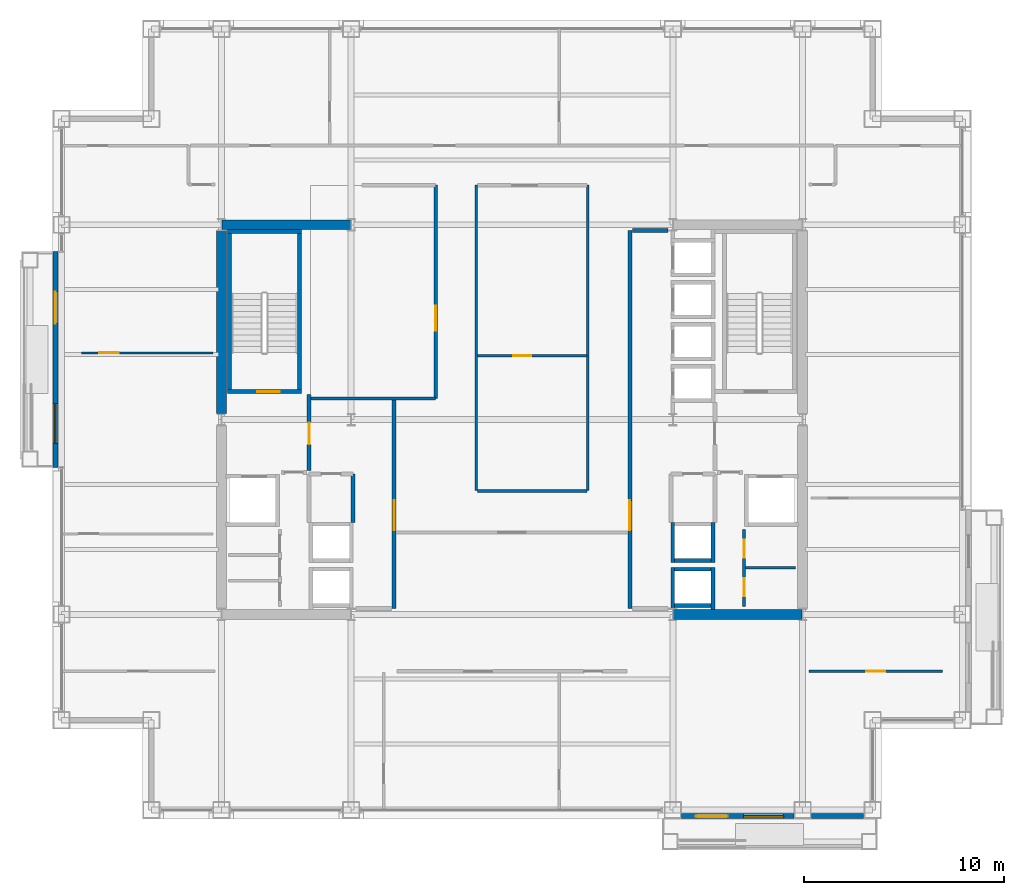
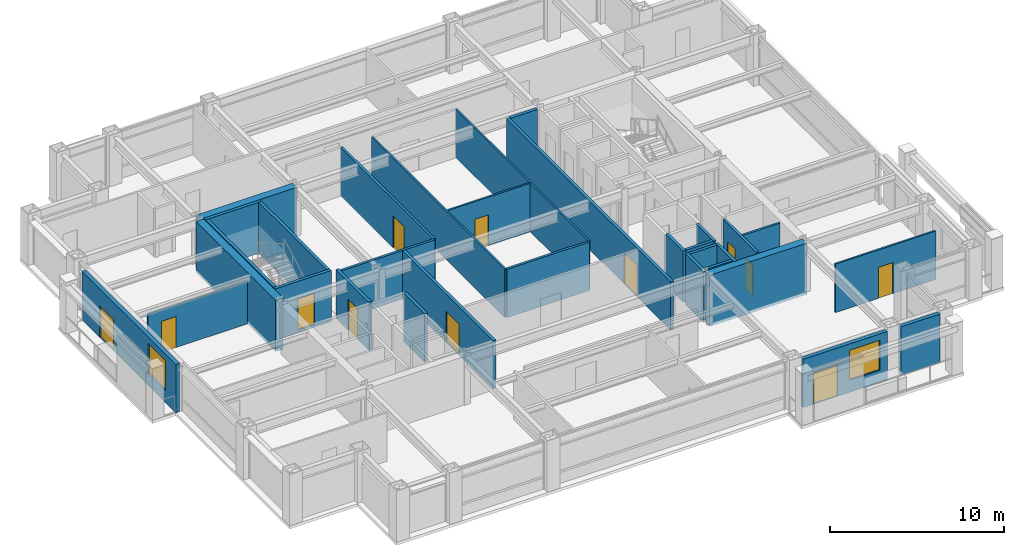
# One storey, part 26 of 31: 32 walls, 12 doors, 2 windows, 14 openings.
"""IFC4 building model written with IfcOpenShell, lengths in metres."""

from ifc_helpers import new_model, si_unit, direction, frame, frame_2d, origin, place, context, subcontext, project, spatial, rectangle, extrude, material, layer, layer_set, type_object, element, fill, save


model = new_model("IFC4")

# Units and contexts
model_context = context("Model", 3, precision=1e-05, world=origin(), true_north=direction((0.0, 1.0)))
body_context = subcontext(model_context, "Body", "Model", "MODEL_VIEW")
ifc_project = project(units=[si_unit("LENGTHUNIT", "METRE"), si_unit("AREAUNIT", "SQUARE_METRE"), si_unit("VOLUMEUNIT", "CUBIC_METRE"), si_unit("PLANEANGLEUNIT", "RADIAN"), si_unit("MASSUNIT", "GRAM", prefix="KILO")], contexts=[model_context])

# Site, building, storey
site_placement = place(None, origin())
site = spatial("IfcSite", under=ifc_project, at=site_placement, CompositionType="ELEMENT")
building_placement = place(site_placement, origin())
building = spatial("IfcBuilding", under=site, at=building_placement, Name="Brelmoor Portico Tower", CompositionType="ELEMENT")
storey_placement = place(building_placement, frame((0.0, 0.0, 113.39990234375)))
storey = spatial("IfcBuildingStorey", under=building, at=storey_placement, Name="L29", CompositionType="ELEMENT", Elevation=113.39990234375)

# Walls
ifc_material_1 = material(Name="Concrete C60", Category="concrete")
ifc_layer_1 = layer(ifc_material_1, 0.5)
ifc_layer_set_1 = layer_set([ifc_layer_1], Name="Concrete C60")
wall_type_1 = type_object("IfcWallType", Name="WL-CORE-500", PredefinedType="SHEAR", material=ifc_layer_set_1)
wall_1_placement = place(storey_placement, frame((-14.530029296875, 9.75, -0.199951171875), z_axis=(0.0, 0.0, 1.0), x_axis=(1.0, 0.0, 0.0)))
element("IfcWall", 1, at=wall_1_placement, inside=storey, type_object=wall_type_1, Name="L29 WC North Shear Wall", PredefinedType="SHEAR", context=body_context, shape_type="SweptSolid", body=[
    extrude(rectangle(XDim=6.4599609375, YDim=0.5, at=frame_2d((3.22998046875, 0.0))), origin(), (0.0, 0.0, 1.0), 3.60009765625),
])
wall_2_placement = place(storey_placement, frame((-14.550048828125, 0.300048828125, -0.199951171875), z_axis=(0.0, 0.0, 1.0), x_axis=(0.0, 1.0, 0.0)))
element("IfcWall", 2, at=wall_2_placement, inside=storey, type_object=wall_type_1, Name="L29 WC Outer North Shear Wall", PredefinedType="SHEAR", context=body_context, shape_type="SweptSolid", body=[
    extrude(rectangle(XDim=9.14990234375, YDim=0.5, at=frame_2d((4.574951171875, 0.0))), origin(), (0.0, 0.0, 1.0), 3.60009765625),
])
wall_3_placement = place(storey_placement, frame((8.070068359375, -9.75, -0.199951171875), z_axis=(0.0, 0.0, 1.0), x_axis=(1.0, 0.0, 0.0)))
element("IfcWall", 3, at=wall_3_placement, inside=storey, type_object=wall_type_1, Name="L29 EC South Shear Wall", PredefinedType="SHEAR", context=body_context, shape_type="SweptSolid", body=[
    extrude(rectangle(XDim=6.4599609375, YDim=0.5, at=frame_2d((3.22998046875, 0.0))), origin(), (0.0, 0.0, 1.0), 3.60009765625),
])

# Wall, openings, door, window
ifc_material_2 = material(Name="Precast Concrete C40 Insulated Facade Wall", Category="concrete")
ifc_layer_2 = layer(ifc_material_2, 0.25)
ifc_layer_set_2 = layer_set([ifc_layer_2], Name="Precast Concrete C40 Insulated Facade Wall")
wall_type_2 = type_object("IfcWallType", Name="WL-EXT-250", PredefinedType="STANDARD", material=ifc_layer_set_2)
wall_4_placement = place(storey_placement, frame((8.4951171875, -19.860107421875, 0.0), z_axis=(0.0, 0.0, 1.0), x_axis=(1.0, 0.0, 0.0)))
wall_4 = element("IfcWall", 4, at=wall_4_placement, inside=storey, type_object=wall_type_2, Name="L29 Loggia Threshold Wall S-1", PredefinedType="STANDARD", context=body_context, shape_type="SweptSolid", body=[
    extrude(rectangle(XDim=5.60986328125, YDim=0.25, at=frame_2d((2.804931640625, 0.0))), origin(), (0.0, 0.0, 1.0), 3.400146484375),
])
opening_1_placement = place(wall_4_placement, frame((0.705078125, 0.0, 0.0)))
opening_1 = element("IfcOpeningElement", 5, at=opening_1_placement, cuts=wall_4, Name="Opening D-TB1", PredefinedType="OPENING", context=body_context, shape_type="SweptSolid", body=[
    extrude(rectangle(XDim=1.60009765625, YDim=2.199951171875, at=frame_2d((0.800048828125, 1.10009765625))), frame((0.0, 0.135009765625, 0.0), z_axis=(0.0, -1.0, 0.0), x_axis=(1.0, 0.0, 0.0)), (0.0, 0.0, 1.0), 0.27001953125),
])
opening_2_placement = place(wall_4_placement, frame((3.10498046875, 0.0, 0.85009765625)))
opening_2 = element("IfcOpeningElement", 6, at=opening_2_placement, cuts=wall_4, Name="Opening W-03", PredefinedType="OPENING", context=body_context, shape_type="SweptSolid", body=[
    extrude(rectangle(XDim=2.0, YDim=2.10009765625, at=frame_2d((1.0, 1.050048828125))), frame((0.0, 0.135009765625, 0.0), z_axis=(0.0, -1.0, 0.0), x_axis=(1.0, 0.0, 0.0)), (0.0, 0.0, 1.0), 0.27001953125),
])
ifc_material_3 = material(Name="Double-Leaf Thermally Broken Terrace Door", Category="aluminium")
door_type_1 = type_object("IfcDoorType", Name="DR-BALCONY-1600", OperationType="NOTDEFINED", PredefinedType="DOOR", material=ifc_material_3)
door_1_placement = place(opening_1_placement, origin())
door_1 = element("IfcDoor", 7, at=door_1_placement, inside=storey, type_object=door_type_1, Name="D-1297 L29 Tree Balcony Double Door S", OperationType="DOUBLE_DOOR_SINGLE_SWING", OverallHeight=2.199951171875, OverallWidth=1.60009765625, PredefinedType="DOOR", context=body_context, shape_type="SweptSolid", body=[
    extrude(rectangle(XDim=1.60009765625, YDim=2.199951171875, at=frame_2d((0.800048828125, 1.10009765625))), frame((0.0, 0.02490234375, 0.0), z_axis=(0.0, -1.0, 0.0), x_axis=(1.0, 0.0, 0.0)), (0.0, 0.0, 1.0), 0.050048828125),
])
fill(opening_1, door_1)
ifc_material_4 = material(Name="Thermally Broken Aluminium Low-E Window", Category="aluminium")
window_type = type_object("IfcWindowType", Name="WN-LOGGIA-2000x2100", PartitioningType="SINGLE_PANEL", PredefinedType="WINDOW", material=ifc_material_4)
window_1_placement = place(opening_2_placement, origin())
window_1 = element("IfcWindow", 8, at=window_1_placement, inside=storey, type_object=window_type, Name="L29 Loggia Window S", OverallHeight=2.10009765625, OverallWidth=2.0, PartitioningType="SINGLE_PANEL", PredefinedType="WINDOW", context=body_context, shape_type="SweptSolid", body=[
    extrude(rectangle(XDim=2.0, YDim=2.10009765625, at=frame_2d((1.0, 1.050048828125))), frame((0.0, 0.030029296875, 0.0), z_axis=(0.0, -1.0, 0.0), x_axis=(1.0, 0.0, 0.0)), (0.0, 0.0, 1.0), 0.06005859375),
])
fill(opening_2, window_1)

# Wall
wall_5_placement = place(storey_placement, frame((14.9951171875, -19.860107421875, 0.0), z_axis=(0.0, 0.0, 1.0), x_axis=(1.0, 0.0, 0.0)))
element("IfcWall", 9, at=wall_5_placement, inside=storey, type_object=wall_type_2, Name="L29 Loggia Threshold Wall S-2", PredefinedType="STANDARD", context=body_context, shape_type="SweptSolid", body=[
    extrude(rectangle(XDim=2.60986328125, YDim=0.25, at=frame_2d((1.304931640625, 0.0))), origin(), (0.0, 0.0, 1.0), 3.400146484375),
])

# Wall, openings, door, window
wall_6_placement = place(storey_placement, frame((-22.860107421875, -2.39990234375, 0.0), z_axis=(0.0, 0.0, 1.0), x_axis=(0.0, 1.0, 0.0)))
wall_6 = element("IfcWall", 10, at=wall_6_placement, inside=storey, type_object=wall_type_2, Name="L29 Loggia Threshold Wall W-1", PredefinedType="STANDARD", context=body_context, shape_type="SweptSolid", body=[
    extrude(rectangle(XDim=10.7998046875, YDim=0.25, at=frame_2d((5.39990234375, 0.0))), origin(), (0.0, 0.0, 1.0), 3.400146484375),
])
opening_3_placement = place(wall_6_placement, frame((7.199951171875, 0.0, 0.0)))
opening_3 = element("IfcOpeningElement", 11, at=opening_3_placement, cuts=wall_6, Name="Opening D-TB1", PredefinedType="OPENING", context=body_context, shape_type="SweptSolid", body=[
    extrude(rectangle(XDim=1.60009765625, YDim=2.199951171875, at=frame_2d((0.800048828125, 1.10009765625))), frame((0.0, 0.135009765625, 0.0), z_axis=(0.0, -1.0, 0.0), x_axis=(1.0, 0.0, 0.0)), (0.0, 0.0, 1.0), 0.27001953125),
])
opening_4_placement = place(wall_6_placement, frame((1.199951171875, 0.0, 0.85009765625)))
opening_4 = element("IfcOpeningElement", 12, at=opening_4_placement, cuts=wall_6, Name="Opening W-03", PredefinedType="OPENING", context=body_context, shape_type="SweptSolid", body=[
    extrude(rectangle(XDim=2.0, YDim=2.10009765625, at=frame_2d((1.0, 1.050048828125))), frame((0.0, 0.135009765625, 0.0), z_axis=(0.0, -1.0, 0.0), x_axis=(1.0, 0.0, 0.0)), (0.0, 0.0, 1.0), 0.27001953125),
])
door_2_placement = place(opening_3_placement, origin())
door_2 = element("IfcDoor", 13, at=door_2_placement, inside=storey, type_object=door_type_1, Name="D-1298 L29 Tree Balcony Double Door W", OperationType="DOUBLE_DOOR_SINGLE_SWING", OverallHeight=2.199951171875, OverallWidth=1.60009765625, PredefinedType="DOOR", context=body_context, shape_type="SweptSolid", body=[
    extrude(rectangle(XDim=1.60009765625, YDim=2.199951171875, at=frame_2d((0.800048828125, 1.10009765625))), frame((0.0, 0.02490234375, 0.0), z_axis=(0.0, -1.0, 0.0), x_axis=(1.0, 0.0, 0.0)), (0.0, 0.0, 1.0), 0.050048828125),
])
fill(opening_3, door_2)
window_2_placement = place(opening_4_placement, origin())
window_2 = element("IfcWindow", 14, at=window_2_placement, inside=storey, type_object=window_type, Name="L29 Loggia Window W", OverallHeight=2.10009765625, OverallWidth=2.0, PartitioningType="SINGLE_PANEL", PredefinedType="WINDOW", context=body_context, shape_type="SweptSolid", body=[
    extrude(rectangle(XDim=2.0, YDim=2.10009765625, at=frame_2d((1.0, 1.050048828125))), frame((0.0, 0.030029296875, 0.0), z_axis=(0.0, -1.0, 0.0), x_axis=(1.0, 0.0, 0.0)), (0.0, 0.0, 1.0), 0.06005859375),
])
fill(opening_4, window_2)

# Walls
ifc_material_5 = material(Name="Lightweight Gypsum Office Partition", Category="gypsum")
ifc_layer_3 = layer(ifc_material_5, 0.1201171875)
ifc_layer_set_3 = layer_set([ifc_layer_3], Name="Lightweight Gypsum Office Partition")
wall_type_3 = type_object("IfcWallType", Name="WL-PART-120", PredefinedType="PARTITIONING", material=ifc_layer_set_3)
for number, where, z_axis, x_axis, name in (
    (15, (-1.780029296875, -3.550048828125, 0.0), (0.0, 0.0, 1.0), (0.0, 1.0, 0.0), "L29 Central Studio West Wall"),
    (16, (3.800048828125, -3.550048828125, 0.0), (0.0, 0.0, 1.0), (0.0, 1.0, 0.0), "L29 Central Studio East Wall"),
):
    element("IfcWall", number, at=place(storey_placement, frame(where, z_axis=z_axis, x_axis=x_axis)), inside=storey, type_object=wall_type_3, Name=name, PredefinedType="PARTITIONING", context=body_context, shape_type="SweptSolid", body=[
        extrude(rectangle(XDim=15.280029296875, YDim=0.1201171875, at=frame_2d((7.64013671875, 0.0))), origin(), (0.0, 0.0, 1.0), 3.400146484375),
    ])

# Wall, opening, door
wall_7_placement = place(storey_placement, frame((-1.72998046875, 3.199951171875, 0.0), z_axis=(0.0, 0.0, 1.0), x_axis=(1.0, 0.0, 0.0)))
wall_7 = element("IfcWall", 17, at=wall_7_placement, inside=storey, type_object=wall_type_3, Name="L29 Central Pantry Divider", PredefinedType="PARTITIONING", context=body_context, shape_type="SweptSolid", body=[
    extrude(rectangle(XDim=5.47998046875, YDim=0.1201171875, at=frame_2d((2.739990234375, 0.0))), origin(), (0.0, 0.0, 1.0), 3.400146484375),
])
opening_5_placement = place(wall_7_placement, frame((1.800048828125, 0.0, 0.0)))
opening_5 = element("IfcOpeningElement", 18, at=opening_5_placement, cuts=wall_7, Name="Opening D-IN1", PredefinedType="OPENING", context=body_context, shape_type="SweptSolid", body=[
    extrude(rectangle(XDim=0.89990234375, YDim=2.14990234375, at=frame_2d((0.449951171875, 1.074951171875))), frame((0.0, 0.070068359375, 0.0), z_axis=(0.0, -1.0, 0.0), x_axis=(1.0, 0.0, 0.0)), (0.0, 0.0, 1.0), 0.14013671875),
])
ifc_material_6 = material(Name="Lacquered Timber Suite Door", Category="wood")
door_type_2 = type_object("IfcDoorType", Name="DR-INT-900", OperationType="NOTDEFINED", PredefinedType="DOOR", material=ifc_material_6)
door_3_placement = place(opening_5_placement, origin())
door_3 = element("IfcDoor", 19, at=door_3_placement, inside=storey, type_object=door_type_2, Name="D-1265 L29 Central Pantry Connecting Door", OperationType="SINGLE_SWING_RIGHT", OverallHeight=2.14990234375, OverallWidth=0.89990234375, PredefinedType="DOOR", context=body_context, shape_type="SweptSolid", body=[
    extrude(rectangle(XDim=0.89990234375, YDim=2.14990234375, at=frame_2d((0.449951171875, 1.074951171875))), frame((0.0, 0.02490234375, 0.0), z_axis=(0.0, -1.0, 0.0), x_axis=(1.0, 0.0, 0.0)), (0.0, 0.0, 1.0), 0.050048828125),
])
fill(opening_5, door_3)

wall_8_placement = place(storey_placement, frame((14.8798828125, -12.60009765625, 0.0), z_axis=(0.0, 0.0, 1.0), x_axis=(1.0, 0.0, 0.0)))
wall_8 = element("IfcWall", 20, at=wall_8_placement, inside=storey, type_object=wall_type_3, Name="L29 South Wing Closure ER", PredefinedType="PARTITIONING", context=body_context, shape_type="SweptSolid", body=[
    extrude(rectangle(XDim=6.670166015625, YDim=0.1201171875, at=frame_2d((3.3349609375, 0.0))), origin(), (0.0, 0.0, 1.0), 3.400146484375),
])
opening_6_placement = place(wall_8_placement, frame((2.85498046875, 0.0, 0.0)))
opening_6 = element("IfcOpeningElement", 21, at=opening_6_placement, cuts=wall_8, Name="Opening D-IN2", PredefinedType="OPENING", context=body_context, shape_type="SweptSolid", body=[
    extrude(rectangle(XDim=0.9599609375, YDim=2.179931640625, at=frame_2d((0.47998046875, 1.08984375))), frame((0.0, 0.070068359375, 0.0), z_axis=(0.0, -1.0, 0.0), x_axis=(1.0, 0.0, 0.0)), (0.0, 0.0, 1.0), 0.14013671875),
])
door_type_3 = type_object("IfcDoorType", Name="DR-INT-950", OperationType="NOTDEFINED", PredefinedType="DOOR", material=ifc_material_6)
door_4_placement = place(opening_6_placement, origin())
door_4 = element("IfcDoor", 22, at=door_4_placement, inside=storey, type_object=door_type_3, Name="D-1294 L29 ER Wing South Suite Door", OperationType="SINGLE_SWING_LEFT", OverallHeight=2.179931640625, OverallWidth=0.9599609375, PredefinedType="DOOR", context=body_context, shape_type="SweptSolid", body=[
    extrude(rectangle(XDim=0.9599609375, YDim=2.179931640625, at=frame_2d((0.47998046875, 1.08984375))), frame((0.0, 0.02490234375, 0.0), z_axis=(0.0, -1.0, 0.0), x_axis=(1.0, 0.0, 0.0)), (0.0, 0.0, 1.0), 0.050048828125),
])
fill(opening_6, door_4)

wall_9_placement = place(storey_placement, frame((-21.550048828125, 3.330078125, 0.0), z_axis=(0.0, 0.0, 1.0), x_axis=(1.0, 0.0, 0.0)))
wall_9 = element("IfcWall", 23, at=wall_9_placement, inside=storey, type_object=wall_type_3, Name="L29 W Wing Partition 2", PredefinedType="PARTITIONING", context=body_context, shape_type="SweptSolid", body=[
    extrude(rectangle(XDim=6.590087890625, YDim=0.1201171875, at=frame_2d((3.294921875, 0.0))), origin(), (0.0, 0.0, 1.0), 3.0),
])
opening_7_placement = place(wall_9_placement, frame((0.89990234375, 0.0, 0.0)))
opening_7 = element("IfcOpeningElement", 24, at=opening_7_placement, cuts=wall_9, Name="Opening D-IN2", PredefinedType="OPENING", context=body_context, shape_type="SweptSolid", body=[
    extrude(rectangle(XDim=0.9599609375, YDim=2.179931640625, at=frame_2d((0.47998046875, 1.08984375))), frame((0.0, 0.070068359375, 0.0), z_axis=(0.0, -1.0, 0.0), x_axis=(1.0, 0.0, 0.0)), (0.0, 0.0, 1.0), 0.14013671875),
])
door_5_placement = place(opening_7_placement, origin())
door_5 = element("IfcDoor", 25, at=door_5_placement, inside=storey, type_object=door_type_3, Name="D-1303 L29 W Wing Suite Connecting Door 2", OperationType="SINGLE_SWING_RIGHT", OverallHeight=2.179931640625, OverallWidth=0.9599609375, PredefinedType="DOOR", context=body_context, shape_type="SweptSolid", body=[
    extrude(rectangle(XDim=0.9599609375, YDim=2.179931640625, at=frame_2d((0.47998046875, 1.08984375))), frame((0.0, 0.02490234375, 0.0), z_axis=(0.0, -1.0, 0.0), x_axis=(1.0, 0.0, 0.0)), (0.0, 0.0, 1.0), 0.050048828125),
])
fill(opening_7, door_5)

# Wall
ifc_material_7 = material(Name="Insulated Stud Suite Partition", Category="gypsum")
ifc_layer_4 = layer(ifc_material_7, 0.139892578125)
ifc_layer_set_4 = layer_set([ifc_layer_4], Name="Insulated Stud Suite Partition")
wall_type_4 = type_object("IfcWallType", Name="WL-PART-140", PredefinedType="PARTITIONING", material=ifc_layer_set_4)
wall_10_placement = place(storey_placement, frame((11.699951171875, -7.425048828125, 0.0), z_axis=(0.0, 0.0, 1.0), x_axis=(1.0, 0.0, 0.0)))
element("IfcWall", 26, at=wall_10_placement, inside=storey, type_object=wall_type_4, Name="L29 E Core WC Divider 1", PredefinedType="PARTITIONING", context=body_context, shape_type="SweptSolid", body=[
    extrude(rectangle(XDim=2.5, YDim=0.139892578125, at=frame_2d((1.25, 0.0))), origin(), (0.0, 0.0, 1.0), 3.400146484375),
])

# Wall, openings, doors
ifc_material_8 = material(Name="Twin-Frame Acoustic Partition", Category="gypsum")
ifc_layer_5 = layer(ifc_material_8, 0.159912109375)
ifc_layer_set_5 = layer_set([ifc_layer_5], Name="Twin-Frame Acoustic Partition")
wall_type_5 = type_object("IfcWallType", Name="WL-PART-160", PredefinedType="PARTITIONING", material=ifc_layer_set_5)
wall_11_placement = place(storey_placement, frame((11.6201171875, -9.35009765625, 0.0), z_axis=(0.0, 0.0, 1.0), x_axis=(0.0, 1.0, 0.0)))
wall_11 = element("IfcWall", 27, at=wall_11_placement, inside=storey, type_object=wall_type_5, Name="L29 E Core Service Front Wall", PredefinedType="PARTITIONING", context=body_context, shape_type="SweptSolid", body=[
    extrude(rectangle(XDim=3.85009765625, YDim=0.159912109375, at=frame_2d((1.925048828125, 0.0))), origin(), (0.0, 0.0, 1.0), 3.400146484375),
])
opening_8_placement = place(wall_11_placement, frame((0.512451171875, 0.0, 0.0)))
opening_8 = element("IfcOpeningElement", 28, at=opening_8_placement, cuts=wall_11, Name="Opening D-IN1", PredefinedType="OPENING", context=body_context, shape_type="SweptSolid", body=[
    extrude(rectangle(XDim=0.89990234375, YDim=2.14990234375, at=frame_2d((0.449951171875, 1.074951171875))), frame((0.0, 0.08984375, 0.0), z_axis=(0.0, -1.0, 0.0), x_axis=(1.0, 0.0, 0.0)), (0.0, 0.0, 1.0), 0.179931640625),
])
opening_9_placement = place(wall_11_placement, frame((2.4375, 0.0, 0.0)))
opening_9 = element("IfcOpeningElement", 29, at=opening_9_placement, cuts=wall_11, Name="Opening D-IN1", PredefinedType="OPENING", context=body_context, shape_type="SweptSolid", body=[
    extrude(rectangle(XDim=0.89990234375, YDim=2.14990234375, at=frame_2d((0.449951171875, 1.074951171875))), frame((0.0, 0.08984375, 0.0), z_axis=(0.0, -1.0, 0.0), x_axis=(1.0, 0.0, 0.0)), (0.0, 0.0, 1.0), 0.179931640625),
])
door_6_placement = place(opening_8_placement, origin())
door_6 = element("IfcDoor", 30, at=door_6_placement, inside=storey, type_object=door_type_2, Name="D-1267 L29 E Male WC Door", OperationType="SINGLE_SWING_LEFT", OverallHeight=2.14990234375, OverallWidth=0.89990234375, PredefinedType="DOOR", context=body_context, shape_type="SweptSolid", body=[
    extrude(rectangle(XDim=0.89990234375, YDim=2.14990234375, at=frame_2d((0.449951171875, 1.074951171875))), frame((0.0, 0.02490234375, 0.0), z_axis=(0.0, -1.0, 0.0), x_axis=(1.0, 0.0, 0.0)), (0.0, 0.0, 1.0), 0.050048828125),
])
fill(opening_8, door_6)
door_7_placement = place(opening_9_placement, origin())
door_7 = element("IfcDoor", 31, at=door_7_placement, inside=storey, type_object=door_type_2, Name="D-1268 L29 E Female WC Door", OperationType="SINGLE_SWING_RIGHT", OverallHeight=2.14990234375, OverallWidth=0.89990234375, PredefinedType="DOOR", context=body_context, shape_type="SweptSolid", body=[
    extrude(rectangle(XDim=0.89990234375, YDim=2.14990234375, at=frame_2d((0.449951171875, 1.074951171875))), frame((0.0, 0.02490234375, 0.0), z_axis=(0.0, -1.0, 0.0), x_axis=(1.0, 0.0, 0.0)), (0.0, 0.0, 1.0), 0.050048828125),
])
fill(opening_9, door_7)

# Wall
wall_12_placement = place(storey_placement, frame((-10.050048828125, 1.050048828125, 0.0), z_axis=(0.0, 0.0, 1.0), x_axis=(1.0, 0.0, 0.0)))
element("IfcWall", 32, at=wall_12_placement, inside=storey, type_object=wall_type_5, Name="L29 Reclaimed West Suite South Wall", PredefinedType="PARTITIONING", context=body_context, shape_type="SweptSolid", body=[
    extrude(rectangle(XDim=6.2099609375, YDim=0.159912109375, at=frame_2d((3.10498046875, 0.0))), origin(), (0.0, 0.0, 1.0), 3.400146484375),
])

# Wall, opening, door
wall_13_placement = place(storey_placement, frame((-3.820068359375, 1.050048828125, 0.0), z_axis=(0.0, 0.0, 1.0), x_axis=(0.0, 1.0, 0.0)))
wall_13 = element("IfcWall", 33, at=wall_13_placement, inside=storey, type_object=wall_type_5, Name="L29 Reclaimed West Suite East Wall", PredefinedType="PARTITIONING", context=body_context, shape_type="SweptSolid", body=[
    extrude(rectangle(XDim=10.679931640625, YDim=0.159912109375, at=frame_2d((5.33984375, 0.0))), origin(), (0.0, 0.0, 1.0), 3.400146484375),
])
opening_10_placement = place(wall_13_placement, frame((3.39990234375, 0.0, 0.0)))
opening_10 = element("IfcOpeningElement", 34, at=opening_10_placement, cuts=wall_13, Name="Opening D-SU1", PredefinedType="OPENING", context=body_context, shape_type="SweptSolid", body=[
    extrude(rectangle(XDim=1.239990234375, YDim=2.239990234375, at=frame_2d((0.6201171875, 1.1201171875))), frame((0.0, 0.08984375, 0.0), z_axis=(0.0, -1.0, 0.0), x_axis=(1.0, 0.0, 0.0)), (0.0, 0.0, 1.0), 0.179931640625),
])
ifc_material_9 = material(Name="Glazed Timber Executive Suite Door", Category="wood")
door_type_4 = type_object("IfcDoorType", Name="DR-SUITE-1200", OperationType="NOTDEFINED", PredefinedType="DOOR", material=ifc_material_9)
door_8_placement = place(opening_10_placement, origin())
door_8 = element("IfcDoor", 35, at=door_8_placement, inside=storey, type_object=door_type_4, Name="D-1287 L29 West Reclaimed Collaboration Office Door", OperationType="SINGLE_SWING_LEFT", OverallHeight=2.239990234375, OverallWidth=1.239990234375, PredefinedType="DOOR", context=body_context, shape_type="SweptSolid", body=[
    extrude(rectangle(XDim=1.239990234375, YDim=2.239990234375, at=frame_2d((0.6201171875, 1.1201171875))), frame((0.0, 0.02490234375, 0.0), z_axis=(0.0, -1.0, 0.0), x_axis=(1.0, 0.0, 0.0)), (0.0, 0.0, 1.0), 0.050048828125),
])
fill(opening_10, door_8)

# Wall
wall_14_placement = place(storey_placement, frame((-1.72998046875, -3.580078125, 0.0), z_axis=(0.0, 0.0, 1.0), x_axis=(1.0, 0.0, 0.0)))
element("IfcWall", 36, at=wall_14_placement, inside=storey, type_object=wall_type_5, Name="L29 Central Studio South Wall", PredefinedType="PARTITIONING", context=body_context, shape_type="SweptSolid", body=[
    extrude(rectangle(XDim=5.47998046875, YDim=0.159912109375, at=frame_2d((2.739990234375, 0.0))), origin(), (0.0, 0.0, 1.0), 3.400146484375),
])

# Wall, opening, door
ifc_material_10 = material(Name="Double-Stud Gypsum Fire Partition", Category="gypsum")
ifc_layer_6 = layer(ifc_material_10, 0.199951171875)
ifc_layer_set_6 = layer_set([ifc_layer_6], Name="Double-Stud Gypsum Fire Partition")
wall_type_6 = type_object("IfcWallType", Name="WL-PART-200", PredefinedType="PARTITIONING", material=ifc_layer_set_6)
wall_15_placement = place(storey_placement, frame((-5.89990234375, -9.449951171875, 0.0), z_axis=(0.0, 0.0, 1.0), x_axis=(0.0, 1.0, 0.0)))
wall_15 = element("IfcWall", 37, at=wall_15_placement, inside=storey, type_object=wall_type_6, Name="L29 W Core Lobby Compartment Wall", PredefinedType="PARTITIONING", context=body_context, shape_type="SweptSolid", body=[
    extrude(rectangle(XDim=10.5, YDim=0.199951171875, at=frame_2d((5.25, 0.0))), origin(), (0.0, 0.0, 1.0), 3.400146484375),
])
opening_11_placement = place(wall_15_placement, frame((3.89990234375, 0.0, 0.0)))
opening_11 = element("IfcOpeningElement", 38, at=opening_11_placement, cuts=wall_15, Name="Opening D-LB1", PredefinedType="OPENING", context=body_context, shape_type="SweptSolid", body=[
    extrude(rectangle(XDim=1.5, YDim=2.199951171875, at=frame_2d((0.75, 1.10009765625))), frame((0.0, 0.10986328125, 0.0), z_axis=(0.0, -1.0, 0.0), x_axis=(1.0, 0.0, 0.0)), (0.0, 0.0, 1.0), 0.219970703125),
])
ifc_material_11 = material(Name="Double-Leaf Glazed Steel Fire Door", Category="steel")
door_type_5 = type_object("IfcDoorType", Name="DR-LOBBY-1500", OperationType="NOTDEFINED", PredefinedType="DOOR", material=ifc_material_11)
door_9_placement = place(opening_11_placement, origin())
door_9 = element("IfcDoor", 39, at=door_9_placement, inside=storey, type_object=door_type_5, Name="D-1279 L29 W Lift Lobby Main Door", OperationType="DOUBLE_DOOR_SINGLE_SWING", OverallHeight=2.199951171875, OverallWidth=1.5, PredefinedType="DOOR", context=body_context, shape_type="SweptSolid", body=[
    extrude(rectangle(XDim=1.5, YDim=2.199951171875, at=frame_2d((0.75, 1.10009765625))), frame((0.0, 0.02490234375, 0.0), z_axis=(0.0, -1.0, 0.0), x_axis=(1.0, 0.0, 0.0)), (0.0, 0.0, 1.0), 0.050048828125),
])
fill(opening_11, door_9)

wall_16_placement = place(storey_placement, frame((-10.159912109375, -2.550048828125, 0.0), z_axis=(0.0, 0.0, 1.0), x_axis=(0.0, 1.0, 0.0)))
wall_16 = element("IfcWall", 40, at=wall_16_placement, inside=storey, type_object=wall_type_6, Name="L29 W Firefighting Lobby Wall", PredefinedType="PARTITIONING", context=body_context, shape_type="SweptSolid", body=[
    extrude(rectangle(XDim=3.800048828125, YDim=0.199951171875, at=frame_2d((1.89990234375, 0.0))), origin(), (0.0, 0.0, 1.0), 3.400146484375),
])
opening_12_placement = place(wall_16_placement, frame((1.300048828125, 0.0, 0.0)))
opening_12 = element("IfcOpeningElement", 41, at=opening_12_placement, cuts=wall_16, Name="Opening D-FR1", PredefinedType="OPENING", context=body_context, shape_type="SweptSolid", body=[
    extrude(rectangle(XDim=1.10009765625, YDim=2.14990234375, at=frame_2d((0.550048828125, 1.074951171875))), frame((0.0, 0.10986328125, 0.0), z_axis=(0.0, -1.0, 0.0), x_axis=(1.0, 0.0, 0.0)), (0.0, 0.0, 1.0), 0.219970703125),
])
ifc_material_12 = material(Name="Painted Galvanised Steel Fire Door", Category="steel")
door_type_6 = type_object("IfcDoorType", Name="DR-FIRE-1100", OperationType="NOTDEFINED", PredefinedType="DOOR", material=ifc_material_12)
door_10_placement = place(opening_12_placement, origin())
door_10 = element("IfcDoor", 42, at=door_10_placement, inside=storey, type_object=door_type_6, Name="D-1277 L29 W Firefighting Lobby Door", OperationType="SINGLE_SWING_RIGHT", OverallHeight=2.14990234375, OverallWidth=1.10009765625, PredefinedType="DOOR", context=body_context, shape_type="SweptSolid", body=[
    extrude(rectangle(XDim=1.10009765625, YDim=2.14990234375, at=frame_2d((0.550048828125, 1.074951171875))), frame((0.0, 0.02490234375, 0.0), z_axis=(0.0, -1.0, 0.0), x_axis=(1.0, 0.0, 0.0)), (0.0, 0.0, 1.0), 0.050048828125),
])
fill(opening_12, door_10)

# Wall
wall_17_placement = place(storey_placement, frame((-7.9599609375, -5.159912109375, 0.0), z_axis=(0.0, 0.0, 1.0), x_axis=(0.0, 1.0, 0.0)))
element("IfcWall", 43, at=wall_17_placement, inside=storey, type_object=wall_type_6, Name="L29 W Electrical Switchgear Closet Inner Wall", PredefinedType="PARTITIONING", context=body_context, shape_type="SweptSolid", body=[
    extrude(rectangle(XDim=2.43994140625, YDim=0.199951171875, at=frame_2d((1.219970703125, 0.0))), origin(), (0.0, 0.0, 1.0), 3.400146484375),
])

# Wall, opening, door
wall_18_placement = place(storey_placement, frame((5.89990234375, -9.449951171875, 0.0), z_axis=(0.0, 0.0, 1.0), x_axis=(0.0, 1.0, 0.0)))
wall_18 = element("IfcWall", 44, at=wall_18_placement, inside=storey, type_object=wall_type_6, Name="L29 E Core Lobby Compartment Wall", PredefinedType="PARTITIONING", context=body_context, shape_type="SweptSolid", body=[
    extrude(rectangle(XDim=18.89990234375, YDim=0.199951171875, at=frame_2d((9.449951171875, 0.0))), origin(), (0.0, 0.0, 1.0), 3.400146484375),
])
opening_13_placement = place(wall_18_placement, frame((3.89990234375, 0.0, 0.0)))
opening_13 = element("IfcOpeningElement", 45, at=opening_13_placement, cuts=wall_18, Name="Opening D-LB1", PredefinedType="OPENING", context=body_context, shape_type="SweptSolid", body=[
    extrude(rectangle(XDim=1.5, YDim=2.199951171875, at=frame_2d((0.75, 1.10009765625))), frame((0.0, 0.10986328125, 0.0), z_axis=(0.0, -1.0, 0.0), x_axis=(1.0, 0.0, 0.0)), (0.0, 0.0, 1.0), 0.219970703125),
])
door_11_placement = place(opening_13_placement, origin())
door_11 = element("IfcDoor", 46, at=door_11_placement, inside=storey, type_object=door_type_5, Name="D-1278 L29 E Lift Lobby Main Door", OperationType="DOUBLE_DOOR_SINGLE_SWING", OverallHeight=2.199951171875, OverallWidth=1.5, PredefinedType="DOOR", context=body_context, shape_type="SweptSolid", body=[
    extrude(rectangle(XDim=1.5, YDim=2.199951171875, at=frame_2d((0.75, 1.10009765625))), frame((0.0, 0.02490234375, 0.0), z_axis=(0.0, -1.0, 0.0), x_axis=(1.0, 0.0, 0.0)), (0.0, 0.0, 1.0), 0.050048828125),
])
fill(opening_13, door_11)

# Walls
wall_19_placement = place(storey_placement, frame((6.02001953125, 9.449951171875, 0.0), z_axis=(0.0, 0.0, 1.0), x_axis=(1.0, 0.0, 0.0)))
element("IfcWall", 47, at=wall_19_placement, inside=storey, type_object=wall_type_6, Name="L29 E Lift Lobby North End Wall", PredefinedType="PARTITIONING", context=body_context, shape_type="SweptSolid", body=[
    extrude(rectangle(XDim=1.800048828125, YDim=0.199951171875, at=frame_2d((0.89990234375, 0.0))), origin(), (0.0, 0.0, 1.0), 3.400146484375),
])
ifc_material_13 = material(Name="Precast Concrete C40", Category="concrete")
ifc_layer_7 = layer(ifc_material_13, 0.18994140625)
ifc_layer_set_7 = layer_set([ifc_layer_7], Name="Precast Concrete C40")
wall_type_7 = type_object("IfcWallType", Name="WL-SHAFT-180", PredefinedType="SOLIDWALL", material=ifc_layer_set_7)
for number, where, z_axis, x_axis, name in (
    (48, (8.044921875, -9.52001953125, -0.199951171875), (0.0, 0.0, 1.0), (0.0, 1.0, 0.0), "L29 Lift PH3 Hoistway Front Wall"),
    (49, (10.054931640625, -9.52001953125, -0.199951171875), (0.0, 0.0, 1.0), (0.0, 1.0, 0.0), "L29 Lift PH3 Hoistway Back Wall"),
):
    element("IfcWall", number, at=place(storey_placement, frame(where, z_axis=z_axis, x_axis=x_axis)), inside=storey, type_object=wall_type_7, Name=name, PredefinedType="SOLIDWALL", context=body_context, shape_type="SweptSolid", body=[
        extrude(rectangle(XDim=2.1201171875, YDim=0.18994140625, at=frame_2d((1.06005859375, 0.0))), origin(), (0.0, 0.0, 1.0), 3.60009765625),
    ])
for number, where, z_axis, x_axis, name in (
    (50, (7.949951171875, -7.4951171875, -0.199951171875), (0.0, 0.0, 1.0), (1.0, 0.0, 0.0), "L29 Lift PH3 Hoistway North Wall"),
    (51, (7.949951171875, -9.304931640625, -0.199951171875), (0.0, 0.0, 1.0), (1.0, 0.0, 0.0), "L29 Lift PH3 Hoistway South Wall"),
):
    element("IfcWall", number, at=place(storey_placement, frame(where, z_axis=z_axis, x_axis=x_axis)), inside=storey, type_object=wall_type_7, Name=name, PredefinedType="SOLIDWALL", context=body_context, shape_type="SweptSolid", body=[
        extrude(rectangle(XDim=2.199951171875, YDim=0.18994140625, at=frame_2d((1.10009765625, 0.0))), origin(), (0.0, 0.0, 1.0), 3.60009765625),
    ])
for number, where, z_axis, x_axis, name in (
    (52, (8.044921875, -7.14990234375, -0.199951171875), (0.0, 0.0, 1.0), (0.0, 1.0, 0.0), "L29 Lift PH4 Hoistway Front Wall"),
    (53, (10.054931640625, -7.14990234375, -0.199951171875), (0.0, 0.0, 1.0), (0.0, 1.0, 0.0), "L29 Lift PH4 Hoistway Back Wall"),
):
    element("IfcWall", number, at=place(storey_placement, frame(where, z_axis=z_axis, x_axis=x_axis)), inside=storey, type_object=wall_type_7, Name=name, PredefinedType="SOLIDWALL", context=body_context, shape_type="SweptSolid", body=[
        extrude(rectangle(XDim=2.0, YDim=0.18994140625, at=frame_2d((1.0, 0.0))), origin(), (0.0, 0.0, 1.0), 3.60009765625),
    ])
wall_20_placement = place(storey_placement, frame((7.949951171875, -7.054931640625, -0.199951171875), z_axis=(0.0, 0.0, 1.0), x_axis=(1.0, 0.0, 0.0)))
element("IfcWall", 54, at=wall_20_placement, inside=storey, type_object=wall_type_7, Name="L29 Lift PH4 Hoistway South Wall", PredefinedType="SOLIDWALL", context=body_context, shape_type="SweptSolid", body=[
    extrude(rectangle(XDim=2.199951171875, YDim=0.18994140625, at=frame_2d((1.10009765625, 0.0))), origin(), (0.0, 0.0, 1.0), 3.60009765625),
])
ifc_material_14 = material(Name="Concrete C40", Category="concrete")
ifc_layer_8 = layer(ifc_material_14, 0.199951171875)
ifc_layer_set_8 = layer_set([ifc_layer_8], Name="Concrete C40")
wall_type_8 = type_object("IfcWallType", Name="WL-SHAFT-RC200", PredefinedType="SOLIDWALL", material=ifc_layer_set_8)
wall_21_placement = place(storey_placement, frame((-14.14990234375, 1.5, -0.199951171875), z_axis=(0.0, 0.0, 1.0), x_axis=(0.0, 1.0, 0.0)))
element("IfcWall", 55, at=wall_21_placement, inside=storey, type_object=wall_type_8, Name="L29 ST-W Structural Stair Wall Outer", PredefinedType="SOLIDWALL", context=body_context, shape_type="SweptSolid", body=[
    extrude(rectangle(XDim=7.800048828125, YDim=0.199951171875, at=frame_2d((3.89990234375, 0.0))), origin(), (0.0, 0.0, 1.0), 3.60009765625),
])

# Wall, opening, door
wall_22_placement = place(storey_placement, frame((-14.25, 1.39990234375, -0.199951171875), z_axis=(0.0, 0.0, 1.0), x_axis=(1.0, 0.0, 0.0)))
wall_22 = element("IfcWall", 56, at=wall_22_placement, inside=storey, type_object=wall_type_8, Name="L29 ST-W Structural Stair Wall S", PredefinedType="SOLIDWALL", context=body_context, shape_type="SweptSolid", body=[
    extrude(rectangle(XDim=3.719970703125, YDim=0.199951171875, at=frame_2d((1.85986328125, 0.0))), origin(), (0.0, 0.0, 1.0), 3.60009765625),
])
opening_14_placement = place(wall_22_placement, frame((1.5, 0.0, 0.199951171875)))
opening_14 = element("IfcOpeningElement", 57, at=opening_14_placement, cuts=wall_22, Name="Opening D-ST1", PredefinedType="OPENING", context=body_context, shape_type="SweptSolid", body=[
    extrude(rectangle(XDim=1.1201171875, YDim=2.179931640625, at=frame_2d((0.56005859375, 1.08984375))), frame((0.0, 0.10986328125, 0.0), z_axis=(0.0, -1.0, 0.0), x_axis=(1.0, 0.0, 0.0)), (0.0, 0.0, 1.0), 0.219970703125),
])
door_type_7 = type_object("IfcDoorType", Name="DR-STAIR-1100", OperationType="NOTDEFINED", PredefinedType="DOOR", material=ifc_material_12)
door_12_placement = place(opening_14_placement, origin())
door_12 = element("IfcDoor", 58, at=door_12_placement, inside=storey, type_object=door_type_7, Name="D-1293 L29 ST-W Protected Exit Stair Door", OperationType="SINGLE_SWING_LEFT", OverallHeight=2.179931640625, OverallWidth=1.1201171875, PredefinedType="DOOR", context=body_context, shape_type="SweptSolid", body=[
    extrude(rectangle(XDim=1.1201171875, YDim=2.179931640625, at=frame_2d((0.56005859375, 1.08984375))), frame((0.0, 0.02490234375, 0.0), z_axis=(0.0, -1.0, 0.0), x_axis=(1.0, 0.0, 0.0)), (0.0, 0.0, 1.0), 0.050048828125),
])
fill(opening_14, door_12)

# Walls
wall_23_placement = place(storey_placement, frame((-14.25, 9.39990234375, -0.199951171875), z_axis=(0.0, 0.0, 1.0), x_axis=(1.0, 0.0, 0.0)))
element("IfcWall", 59, at=wall_23_placement, inside=storey, type_object=wall_type_8, Name="L29 ST-W Structural Stair Wall N", PredefinedType="SOLIDWALL", context=body_context, shape_type="SweptSolid", body=[
    extrude(rectangle(XDim=3.719970703125, YDim=0.199951171875, at=frame_2d((1.85986328125, 0.0))), origin(), (0.0, 0.0, 1.0), 3.60009765625),
])
wall_24_placement = place(storey_placement, frame((-10.6298828125, 1.5, -0.199951171875), z_axis=(0.0, 0.0, 1.0), x_axis=(0.0, 1.0, 0.0)))
element("IfcWall", 60, at=wall_24_placement, inside=storey, type_object=wall_type_8, Name="L29 ST-W Structural Stair Wall Inner", PredefinedType="SOLIDWALL", context=body_context, shape_type="SweptSolid", body=[
    extrude(rectangle(XDim=7.800048828125, YDim=0.199951171875, at=frame_2d((3.89990234375, 0.0))), origin(), (0.0, 0.0, 1.0), 3.60009765625),
])

save(model, "model.ifc")
